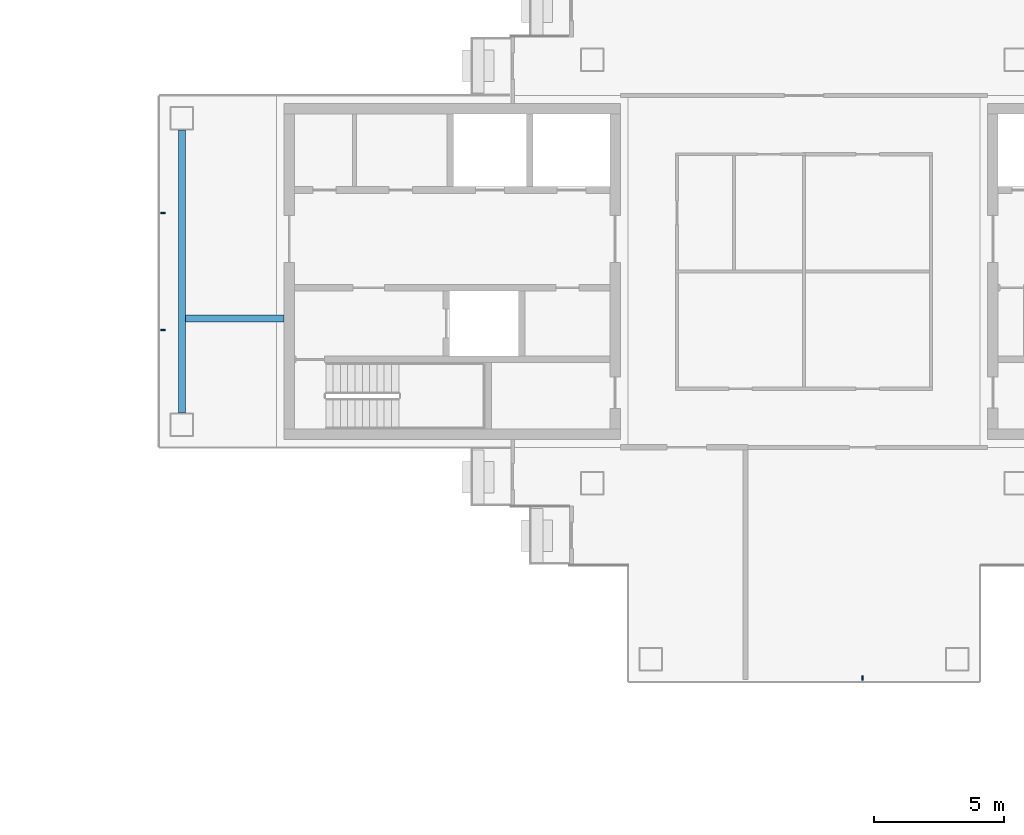
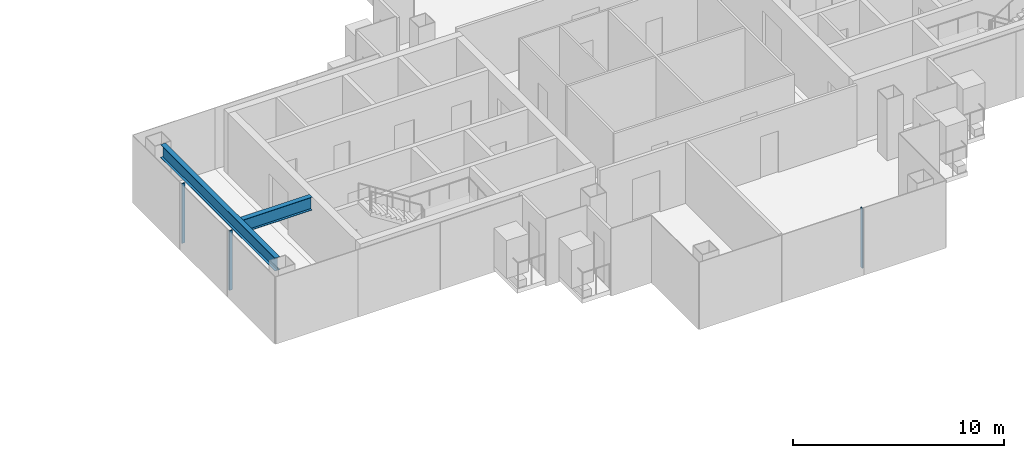
# One storey, part 5 of 17: 3 members, 2 beams, 2 elements without a shape of their own.
"""IFC4 building model written with IfcOpenShell, lengths in metres."""

from ifc_helpers import new_model, si_unit, direction, frame, origin, origin_2d, place, context, subcontext, project, spatial, rectangle, i_section, extrude, material, layer, layer_set, material_profile, profile_set, type_object, element, aggregate, save


model = new_model("IFC4")

# Units and contexts
model_context = context("Model", 3, precision=1e-05, world=origin(), true_north=direction((0.0, 1.0)))
body_context = subcontext(model_context, "Body", "Model", "MODEL_VIEW")
ifc_project = project(units=[si_unit("LENGTHUNIT", "METRE"), si_unit("AREAUNIT", "SQUARE_METRE"), si_unit("VOLUMEUNIT", "CUBIC_METRE"), si_unit("PLANEANGLEUNIT", "RADIAN"), si_unit("MASSUNIT", "GRAM", prefix="KILO")], contexts=[model_context])

# Site, building, storey
site_placement = place(None, origin())
site = spatial("IfcSite", under=ifc_project, at=site_placement, CompositionType="ELEMENT")
building_placement = place(site_placement, origin())
building = spatial("IfcBuilding", under=site, at=building_placement, Name="Shamsa Quay Exchange Towers", CompositionType="ELEMENT")
storey_placement = place(building_placement, frame((0.0, 0.0, 257.699951171875)))
storey = spatial("IfcBuildingStorey", under=building, at=storey_placement, Name="L62", CompositionType="ELEMENT", Elevation=257.699951171875)

# Curtain wall, members
ifc_material_1 = material(Name="Aluminium EN AW-6063 T6, black anodised", Category="aluminium")
ifc_layer = layer(ifc_material_1, 0.280029296875)
ifc_layer_set = layer_set([ifc_layer], Name="CW-1 UNITISED VISION GLASS")
curtain_wall_type = type_object("IfcCurtainWallType", Name="CW-1 UNITISED VISION GLASS", PredefinedType="NOTDEFINED", material=ifc_layer_set)
curtain_wall_1_placement = place(storey_placement, origin())
curtain_wall_1 = element("IfcCurtainWall", 1, at=curtain_wall_1_placement, inside=storey, type_object=curtain_wall_type, Name="CW1 T2-END-V+ L62", PredefinedType="NOTDEFINED")
ifc_material_profile_1 = material_profile(ifc_material_1, rectangle(XDim=0.179931640625, YDim=0.06005859375, at=origin_2d()), Name="MU60x180")
ifc_profile_set_1 = profile_set([ifc_material_profile_1], Name="Aluminium EN AW-6063 T6, black anodised")
member_type = type_object("IfcMemberType", Name="CW1 MULLION 60x180", PredefinedType="MULLION", material=ifc_profile_set_1)
member_1_placement = place(storey_placement, frame((9.14990234375, 2.25, 0.0)))
member_1 = element("IfcMember", 2, at=member_1_placement, type_object=member_type, Name="CW1 mullion", PredefinedType="MULLION", context=body_context, shape_type="SweptSolid", body=[
    extrude(rectangle(XDim=0.179931640625, YDim=0.06005859375, at=origin_2d()), origin(), (0.0, 0.0, 1.0), 3.449951171875),
])
member_2_placement = place(storey_placement, frame((9.14990234375, -2.25, 0.0)))
member_2 = element("IfcMember", 3, at=member_2_placement, type_object=member_type, Name="CW1 mullion", PredefinedType="MULLION", context=body_context, shape_type="SweptSolid", body=[
    extrude(rectangle(XDim=0.179931640625, YDim=0.06005859375, at=origin_2d()), origin(), (0.0, 0.0, 1.0), 3.449951171875),
])
aggregate(curtain_wall_1, [member_1, member_2])

# Curtain wall, member
curtain_wall_2_placement = place(storey_placement, origin())
curtain_wall_2 = element("IfcCurtainWall", 4, at=curtain_wall_2_placement, inside=storey, type_object=curtain_wall_type, Name="CW1 T2-END-U- L62", PredefinedType="NOTDEFINED")
member_3_placement = place(storey_placement, frame((36.0, -15.60009765625, 0.0), z_axis=(0.0, 0.0, 1.0), x_axis=(0.0, 1.0, 0.0)))
member_3 = element("IfcMember", 5, at=member_3_placement, type_object=member_type, Name="CW1 mullion", PredefinedType="MULLION", context=body_context, shape_type="SweptSolid", body=[
    extrude(rectangle(XDim=0.179931640625, YDim=0.06005859375, at=origin_2d()), origin(), (0.0, 0.0, 1.0), 3.449951171875),
])
aggregate(curtain_wall_2, [member_3])

# Beams
ifc_material_2 = material(Name="Steel S355", Category="steel")
ifc_material_profile_2 = material_profile(ifc_material_2, i_section(OverallWidth=0.26611328125, OverallDepth=0.7578125, WebThickness=0.013916015625, FlangeThickness=0.019287109375, at=origin_2d()), Name="W30x108")
ifc_profile_set_2 = profile_set([ifc_material_profile_2], Name="Steel S355")
beam_type = type_object("IfcBeamType", Name="End-zone beam W30x108", PredefinedType="BEAM", material=ifc_profile_set_2)
beam_1_placement = place(storey_placement, frame((9.875, -5.425048828125, 3.171142578125), z_axis=(0.0, 1.0, 0.0), x_axis=(-1.0, 0.0, 0.0)))
element("IfcBeam", 6, at=beam_1_placement, inside=storey, type_object=beam_type, Name="End beam T2 V+ end zone L62", PredefinedType="BEAM", context=body_context, shape_type="SweptSolid", body=[
    extrude(i_section(OverallWidth=0.26611328125, OverallDepth=0.7578125, WebThickness=0.013916015625, FlangeThickness=0.019287109375, at=origin_2d()), origin(), (0.0, 0.0, 1.0), 10.85009765625),
])
beam_2_placement = place(storey_placement, frame((13.800048828125, -1.800048828125, 3.171142578125), z_axis=(-1.0, 0.0, 0.0), x_axis=(0.0, -1.0, 0.0)))
element("IfcBeam", 7, at=beam_2_placement, inside=storey, type_object=beam_type, Name="Spine beam T2 V+ end zone L62", PredefinedType="BEAM", context=body_context, shape_type="SweptSolid", body=[
    extrude(i_section(OverallWidth=0.26611328125, OverallDepth=0.7578125, WebThickness=0.013916015625, FlangeThickness=0.019287109375, at=origin_2d()), origin(), (0.0, 0.0, 1.0), 3.7919921875),
])

save(model, "model.ifc")
